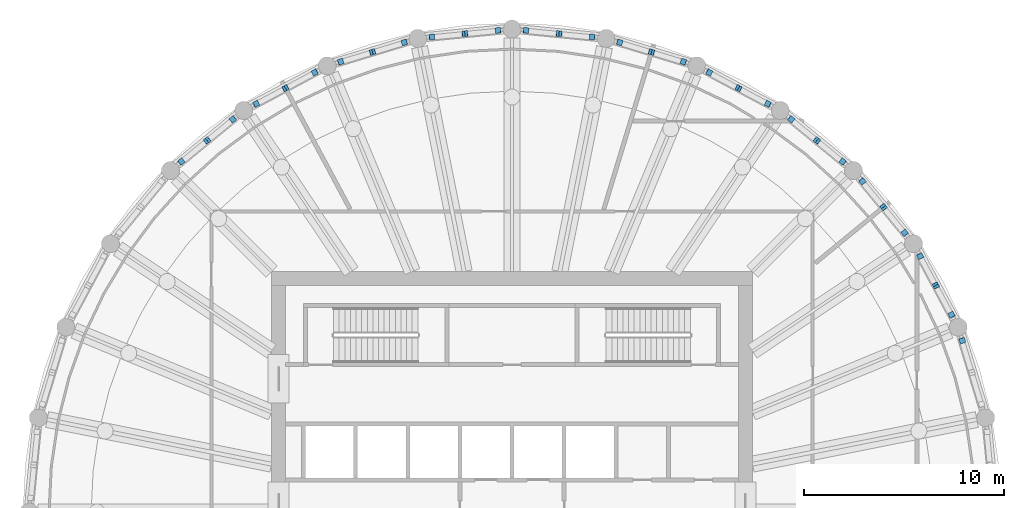
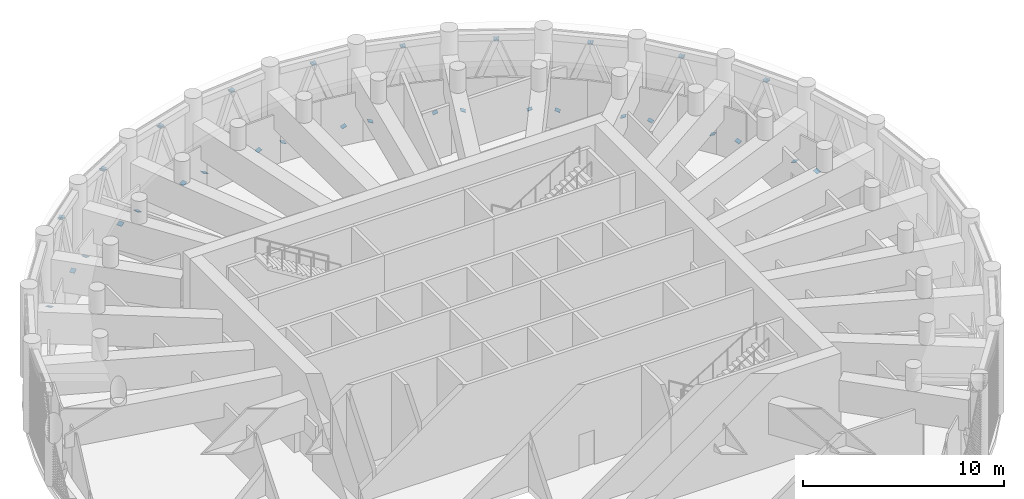
# One storey, part 11 of 19: 41 discrete accessories.
"""IFC4 building model written with IfcOpenShell, lengths in metres."""

import ifcopenshell
import ifcopenshell.guid

model = None  # the IFC model being written
_history = None  # IfcOwnerHistory: only IFC2X3 demands one
_inside = {}  # id of a spatial element -> (the spatial element, [elements in it])
_under = {}  # id of a project, library or spatial element -> (it, [spatial elements below it])
_declared = {}  # id of a project -> (the project, [libraries it declares])
_typed = {}  # id of a type object -> (the type object, [elements of that type])
_made_of = {}  # id of a material, layer set ... -> (it, [elements and type objects made of it])


def new_model(schema):
    """Start an empty IFC model of exactly this schema.

    Asked for "IFC4X3", IfcOpenShell would pick the latest addendum, in which some entities
    have other attributes; the version numbers below select the first issue.
    IFC2X3 requires an IfcOwnerHistory on every rooted entity: one is made here for all.
    """
    global model, _history
    if schema == "IFC4X3":
        model = ifcopenshell.file(schema_version=(4, 3, 0, 0))
    else:
        model = ifcopenshell.file(schema=schema)
    _inside.clear()
    _under.clear()
    _declared.clear()
    _typed.clear()
    _made_of.clear()
    _history = None
    if model.schema == "IFC2X3":
        org = make("IfcOrganization", Name="unknown")
        user = make(
            "IfcPersonAndOrganization",
            ThePerson=make("IfcPerson", FamilyName="unknown"),
            TheOrganization=org,
        )
        app = make(
            "IfcApplication",
            ApplicationDeveloper=org,
            Version="unknown",
            ApplicationFullName="unknown",
            ApplicationIdentifier="unknown",
        )
        _history = make(
            "IfcOwnerHistory",
            OwningUser=user,
            OwningApplication=app,
            ChangeAction="ADDED",
            CreationDate=0,
        )
    return model


def make(cls, **values):
    """One entity of the class cls with the attributes given. An attribute that is None is left unset."""
    return model.create_entity(
        cls, **{name: value for name, value in values.items() if value is not None}
    )


def rooted(cls, **values):
    """An entity with a GlobalId (a new one), such as an element, a storey or a relation."""
    return make(cls, GlobalId=ifcopenshell.guid.new(), OwnerHistory=_history, **values)


def si_unit(unit_type, name, prefix=None):
    """IfcSIUnit, for example si_unit("LENGTHUNIT", "METRE", prefix="MILLI")."""
    return make("IfcSIUnit", UnitType=unit_type, Prefix=prefix, Name=name)


def assignment(units):
    """IfcUnitAssignment: the units of a project."""
    return None if units is None else make("IfcUnitAssignment", Units=units)


def point(xyz):
    """IfcCartesianPoint."""
    return None if xyz is None else make("IfcCartesianPoint", Coordinates=xyz)


def direction(xyz):
    """IfcDirection."""
    return None if xyz is None else make("IfcDirection", DirectionRatios=xyz)


def frame(location, z_axis=None, x_axis=None):
    """IfcAxis2Placement3D, a coordinate frame: its origin and axes. An axis left out is left unset."""
    return make(
        "IfcAxis2Placement3D",
        Location=point(location),
        Axis=direction(z_axis),
        RefDirection=direction(x_axis),
    )


def frame_2d(location, x_axis=None):
    """IfcAxis2Placement2D, a coordinate frame in the plane: its origin and x axis."""
    return make(
        "IfcAxis2Placement2D", Location=point(location), RefDirection=direction(x_axis)
    )


def origin():
    """The frame at (0, 0, 0) with its axes left unset."""
    return frame((0.0, 0.0, 0.0))


def origin_2d():
    """The frame at (0, 0) in the plane with its x axis left unset."""
    return frame_2d((0.0, 0.0))


def place(relative_to, where):
    """IfcLocalPlacement: puts the frame where relative to a parent placement (None: the world)."""
    return make(
        "IfcLocalPlacement", PlacementRelTo=relative_to, RelativePlacement=where
    )


def context(
    kind, dimensions, precision=None, world=None, true_north=None, identifier=None
):
    """IfcGeometricRepresentationContext, for example the 3D "Model" context."""
    return make(
        "IfcGeometricRepresentationContext",
        ContextIdentifier=identifier,
        ContextType=kind,
        CoordinateSpaceDimension=dimensions,
        Precision=precision,
        WorldCoordinateSystem=world,
        TrueNorth=true_north,
    )


def subcontext(parent, identifier, kind, view, scale=None):
    """IfcGeometricRepresentationSubContext, for example "Body" below "Model"."""
    return make(
        "IfcGeometricRepresentationSubContext",
        ContextIdentifier=identifier,
        ContextType=kind,
        ParentContext=parent,
        TargetScale=scale,
        TargetView=view,
    )


def project(units=None, contexts=None):
    """IfcProject with its units and contexts."""
    return rooted(
        "IfcProject",
        Name="project",
        RepresentationContexts=contexts,
        UnitsInContext=assignment(units),
    )


def spatial(cls, under=None, at=None, **own):
    """A site, building, storey or space (cls), placed at a placement, below another one or the project."""
    s = rooted(cls, ObjectPlacement=at, **own)
    if under is not None:
        _under.setdefault(under.id(), (under, []))[1].append(s)
    return s


def profile(cls, at=None, kind="AREA", **sizes):
    """A parametric profile (cls). Its sizes go by their IFC names, for example OverallWidth=200.0."""
    return make(cls, ProfileType=kind, Position=at, **sizes)


def rectangle(**sizes):
    """IfcRectangleProfileDef."""
    return profile("IfcRectangleProfileDef", **sizes)


def extrude(swept, where, along, depth):
    """IfcExtrudedAreaSolid: the profile swept, set in the frame where, extruded along a direction by depth."""
    return make(
        "IfcExtrudedAreaSolid",
        SweptArea=swept,
        Position=where,
        ExtrudedDirection=direction(along),
        Depth=depth,
    )


def shape(context_of_items, identifier, shape_type, items):
    """IfcShapeRepresentation: the items that make up one representation, for example the "Body"."""
    return make(
        "IfcShapeRepresentation",
        ContextOfItems=context_of_items,
        RepresentationIdentifier=identifier,
        RepresentationType=shape_type,
        Items=items,
    )


def material(Name=None, Category=None):
    """IfcMaterial."""
    return make("IfcMaterial", Name=Name, Category=Category)


def material_profile(
    of_material, cross_section, Name=None, Category=None, Priority=None
):
    """IfcMaterialProfile: a cross section and its material."""
    return make(
        "IfcMaterialProfile",
        Name=Name,
        Material=of_material,
        Profile=cross_section,
        Priority=Priority,
        Category=Category,
    )


def profile_set(profiles, Name=None, composite=None):
    """IfcMaterialProfileSet."""
    return make(
        "IfcMaterialProfileSet",
        Name=Name,
        MaterialProfiles=profiles,
        CompositeProfile=composite,
    )


def made_of(thing, what):
    """Note that an element or type object is made of a material, layer set ...; save() writes the relation."""
    if what is not None:
        _made_of.setdefault(what.id(), (what, []))[1].append(thing)
    return thing


def type_object(cls, material=None, **own):
    """A type object (cls), such as IfcWallType, which elements share."""
    return made_of(rooted(cls, **own), material)


def element(
    cls,
    number,
    at=None,
    inside=None,
    cuts=None,
    type_object=None,
    material=None,
    context=None,
    identifier="Body",
    shape_type=None,
    held_by="IfcProductDefinitionShape",
    body=None,
    shapes=None,
    **own,
):
    """One element of the class cls, such as IfcWall. Its Tag is "e" and its number.

    at: its placement. inside: the storey or other place that contains it. cuts: it is an
    opening in that element (IfcRelVoidsElement). A single representation is given by context,
    identifier, shape_type and body (its items); several are given by shapes. held_by: the class
    of the entity that holds the representations. save() writes the other relations.
    """
    e = rooted(cls, Tag="e%d" % number, ObjectPlacement=at, **own)
    if body is not None:
        shapes = [shape(context, identifier, shape_type, body)]
    if shapes is not None:
        e.Representation = make(held_by, Representations=shapes)
    if inside is not None:
        _inside.setdefault(inside.id(), (inside, []))[1].append(e)
    if cuts is not None:
        rooted(
            "IfcRelVoidsElement", RelatingBuildingElement=cuts, RelatedOpeningElement=e
        )
    if type_object is not None:
        _typed.setdefault(type_object.id(), (type_object, []))[1].append(e)
    return made_of(e, material)


def aggregate(whole, parts):
    """IfcRelAggregates: a whole, such as a stair, and the parts it consists of."""
    return rooted("IfcRelAggregates", RelatingObject=whole, RelatedObjects=parts)


def save(model, path):
    """Write the relations noted so far, then the file.

    IfcRelAggregates (storeys below a building ...), IfcRelContainedInSpatialStructure (elements
    in a storey), IfcRelDefinesByType, IfcRelAssociatesMaterial and IfcRelDeclares: one each for
    every whole, place, type object, material and project.
    """
    for whole, parts in _under.values():
        aggregate(whole, parts)
    for where, things in _inside.values():
        rooted(
            "IfcRelContainedInSpatialStructure",
            RelatedElements=things,
            RelatingStructure=where,
        )
    for kind, things in _typed.values():
        rooted("IfcRelDefinesByType", RelatedObjects=things, RelatingType=kind)
    for what, things in _made_of.values():
        rooted("IfcRelAssociatesMaterial", RelatedObjects=things, RelatingMaterial=what)
    for by, libraries in _declared.values():
        rooted("IfcRelDeclares", RelatingContext=by, RelatedDefinitions=libraries)
    model.write(path)


model = new_model("IFC4")

# Units and contexts
model_context = context("Model", 3, precision=1e-05, world=origin(), true_north=direction((0.0, 1.0)))
body_context = subcontext(model_context, "Body", "Model", "MODEL_VIEW")
ifc_project = project(units=[si_unit("LENGTHUNIT", "METRE"), si_unit("AREAUNIT", "SQUARE_METRE"), si_unit("VOLUMEUNIT", "CUBIC_METRE"), si_unit("PLANEANGLEUNIT", "RADIAN"), si_unit("MASSUNIT", "GRAM", prefix="KILO")], contexts=[model_context])

# Site, building, storey
site_placement = place(None, origin())
site = spatial("IfcSite", under=ifc_project, at=site_placement, CompositionType="ELEMENT")
building_placement = place(site_placement, origin())
building = spatial("IfcBuilding", under=site, at=building_placement, Name="Corvane Civic Tower", CompositionType="ELEMENT")
storey_placement = place(building_placement, frame((0.0, 0.0, 319.0)))
storey = spatial("IfcBuildingStorey", under=building, at=storey_placement, Name="L76", CompositionType="ELEMENT", Elevation=319.0)

# Discrete accessories
ifc_material = material(Name="Steel ASTM A572 Gr 50", Category="steel")
ifc_material_profile = material_profile(ifc_material, rectangle(XDim=0.2802734375, YDim=0.2802734375, at=origin_2d()), Name="GUSSET PLATE 25 IN HSS12X12X1/2")
ifc_profile_set = profile_set([ifc_material_profile], Name="Steel ASTM A572 Gr 50")
discrete_accessory_type = type_object("IfcDiscreteAccessoryType", Name="GUSSET PLATE 25 IN HSS12X12X1/2", PredefinedType="BRACKET", material=ifc_profile_set)
discrete_accessory_1_placement = place(storey_placement, frame((0.696533203125, 24.031494140625, 0.406494140625), z_axis=(0.36264054548, -0.039204383295, 0.931104103258), x_axis=(0.10748184298, 0.994207047566, 0.0)))
element("IfcDiscreteAccessory", 1, at=discrete_accessory_1_placement, inside=storey, type_object=discrete_accessory_type, Name="Gusset plate BD1 end A", PredefinedType="BRACKET", context=body_context, shape_type="SweptSolid", body=[
    extrude(rectangle(XDim=0.2802734375, YDim=0.2802734375, at=origin_2d()), origin(), (0.0, 0.0, 1.0), 0.02490234375),
])
discrete_accessory_2_placement = place(storey_placement, frame((2.350830078125, 23.868408203125, 4.74365234375), z_axis=(-0.350856529013, 0.038984058779, -0.935617410703), x_axis=(-0.110431526075, -0.993883734674, 0.0)))
element("IfcDiscreteAccessory", 2, at=discrete_accessory_2_placement, inside=storey, type_object=discrete_accessory_type, Name="Gusset plate BD1 end B", PredefinedType="BRACKET", context=body_context, shape_type="SweptSolid", body=[
    extrude(rectangle(XDim=0.2802734375, YDim=0.2802734375, at=origin_2d()), origin(), (0.0, 0.0, 1.0), 0.025146484375),
])
discrete_accessory_3_placement = place(storey_placement, frame((4.005126953125, 23.70556640625, 0.406494140625), z_axis=(-0.36264054548, 0.039204383295, 0.931104103258), x_axis=(-0.10748184298, -0.994207047566, 0.0)))
element("IfcDiscreteAccessory", 3, at=discrete_accessory_3_placement, inside=storey, type_object=discrete_accessory_type, Name="Gusset plate BD1 end A", PredefinedType="BRACKET", context=body_context, shape_type="SweptSolid", body=[
    extrude(rectangle(XDim=0.2802734375, YDim=0.2802734375, at=origin_2d()), origin(), (0.0, 0.0, 1.0), 0.02490234375),
])
discrete_accessory_4_placement = place(storey_placement, frame((2.350830078125, 23.868408203125, 4.74365234375), z_axis=(0.350973228344, -0.029247769029, -0.935928608919), x_axis=(0.083045479854, 0.996545758245, 0.0)))
element("IfcDiscreteAccessory", 4, at=discrete_accessory_4_placement, inside=storey, type_object=discrete_accessory_type, Name="Gusset plate BD1 end B", PredefinedType="BRACKET", context=body_context, shape_type="SweptSolid", body=[
    extrude(rectangle(XDim=0.2802734375, YDim=0.2802734375, at=origin_2d()), origin(), (0.0, 0.0, 1.0), 0.025146484375),
])
discrete_accessory_5_placement = place(storey_placement, frame((5.37158203125, 23.433837890625, 0.406494140625), z_axis=(0.343682744054, -0.108014576703, 0.932853162432), x_axis=(0.29982659674, 0.953993716901, 0.0)))
element("IfcDiscreteAccessory", 5, at=discrete_accessory_5_placement, inside=storey, type_object=discrete_accessory_type, Name="Gusset plate BD1 end A", PredefinedType="BRACKET", context=body_context, shape_type="SweptSolid", body=[
    extrude(rectangle(XDim=0.2802734375, YDim=0.2802734375, at=origin_2d()), origin(), (0.0, 0.0, 1.0), 0.02490234375),
])
discrete_accessory_6_placement = place(storey_placement, frame((6.962158203125, 22.951171875, 4.74365234375), z_axis=(-0.340561039499, 0.107033469557, -0.934110279769), x_axis=(-0.29982659674, -0.953993716901, 0.0)))
element("IfcDiscreteAccessory", 6, at=discrete_accessory_6_placement, inside=storey, type_object=discrete_accessory_type, Name="Gusset plate BD1 end B", PredefinedType="BRACKET", context=body_context, shape_type="SweptSolid", body=[
    extrude(rectangle(XDim=0.2802734375, YDim=0.2802734375, at=origin_2d()), origin(), (0.0, 0.0, 1.0), 0.025146484375),
])
discrete_accessory_7_placement = place(storey_placement, frame((8.552734375, 22.468505859375, 0.406494140625), z_axis=(-0.343682744054, 0.108014576703, 0.932853162432), x_axis=(-0.29982659674, -0.953993716901, 0.0)))
element("IfcDiscreteAccessory", 7, at=discrete_accessory_7_placement, inside=storey, type_object=discrete_accessory_type, Name="Gusset plate BD1 end A", PredefinedType="BRACKET", context=body_context, shape_type="SweptSolid", body=[
    extrude(rectangle(XDim=0.2802734375, YDim=0.2802734375, at=origin_2d()), origin(), (0.0, 0.0, 1.0), 0.02490234375),
])
discrete_accessory_8_placement = place(storey_placement, frame((6.962158203125, 22.951171875, 4.74365234375), z_axis=(0.340561039499, -0.107033469557, -0.934110279769), x_axis=(0.29982659674, 0.953993716901, 0.0)))
element("IfcDiscreteAccessory", 8, at=discrete_accessory_8_placement, inside=storey, type_object=discrete_accessory_type, Name="Gusset plate BD1 end B", PredefinedType="BRACKET", context=body_context, shape_type="SweptSolid", body=[
    extrude(rectangle(XDim=0.2802734375, YDim=0.2802734375, at=origin_2d()), origin(), (0.0, 0.0, 1.0), 0.025146484375),
])
discrete_accessory_9_placement = place(storey_placement, frame((9.840087890625, 21.935302734375, 0.406494140625), z_axis=(0.314725342185, -0.167197838036, 0.934340859613), x_axis=(0.469155225962, 0.883115719457, 0.0)))
element("IfcDiscreteAccessory", 9, at=discrete_accessory_9_placement, inside=storey, type_object=discrete_accessory_type, Name="Gusset plate BD1 end A", PredefinedType="BRACKET", context=body_context, shape_type="SweptSolid", body=[
    extrude(rectangle(XDim=0.2802734375, YDim=0.2802734375, at=origin_2d()), origin(), (0.0, 0.0, 1.0), 0.02490234375),
])
discrete_accessory_10_placement = place(storey_placement, frame((11.305908203125, 21.15185546875, 4.74365234375), z_axis=(-0.311857659717, 0.165674381725, -0.93557297915), x_axis=(-0.469155225962, -0.883115719457, 0.0)))
element("IfcDiscreteAccessory", 10, at=discrete_accessory_10_placement, inside=storey, type_object=discrete_accessory_type, Name="Gusset plate BD1 end B", PredefinedType="BRACKET", context=body_context, shape_type="SweptSolid", body=[
    extrude(rectangle(XDim=0.2802734375, YDim=0.2802734375, at=origin_2d()), origin(), (0.0, 0.0, 1.0), 0.025146484375),
])
discrete_accessory_11_placement = place(storey_placement, frame((12.771728515625, 20.368408203125, 0.406494140625), z_axis=(-0.314725342185, 0.167197838036, 0.934340859613), x_axis=(-0.469155225962, -0.883115719457, 0.0)))
element("IfcDiscreteAccessory", 11, at=discrete_accessory_11_placement, inside=storey, type_object=discrete_accessory_type, Name="Gusset plate BD1 end A", PredefinedType="BRACKET", context=body_context, shape_type="SweptSolid", body=[
    extrude(rectangle(XDim=0.2802734375, YDim=0.2802734375, at=origin_2d()), origin(), (0.0, 0.0, 1.0), 0.02490234375),
])
discrete_accessory_12_placement = place(storey_placement, frame((11.305908203125, 21.15185546875, 4.74365234375), z_axis=(0.311857659717, -0.165674381725, -0.93557297915), x_axis=(0.469155225962, 0.883115719457, 0.0)))
element("IfcDiscreteAccessory", 12, at=discrete_accessory_12_placement, inside=storey, type_object=discrete_accessory_type, Name="Gusset plate BD1 end B", PredefinedType="BRACKET", context=body_context, shape_type="SweptSolid", body=[
    extrude(rectangle(XDim=0.2802734375, YDim=0.2802734375, at=origin_2d()), origin(), (0.0, 0.0, 1.0), 0.025146484375),
])
discrete_accessory_13_placement = place(storey_placement, frame((13.93017578125, 19.59423828125, 0.406494140625), z_axis=(0.284436778396, -0.225587789762, 0.931775653366), x_axis=(0.621394711002, 0.78349767909, 0.0)))
element("IfcDiscreteAccessory", 13, at=discrete_accessory_13_placement, inside=storey, type_object=discrete_accessory_type, Name="Gusset plate BD1 end A", PredefinedType="BRACKET", context=body_context, shape_type="SweptSolid", body=[
    extrude(rectangle(XDim=0.2802734375, YDim=0.2802734375, at=origin_2d()), origin(), (0.0, 0.0, 1.0), 0.02490234375),
])
discrete_accessory_14_placement = place(storey_placement, frame((15.21533203125, 18.539794921875, 4.74365234375), z_axis=(-0.281859094948, 0.223543420131, -0.933050797069), x_axis=(-0.621394711002, -0.78349767909, 0.0)))
element("IfcDiscreteAccessory", 14, at=discrete_accessory_14_placement, inside=storey, type_object=discrete_accessory_type, Name="Gusset plate BD1 end B", PredefinedType="BRACKET", context=body_context, shape_type="SweptSolid", body=[
    extrude(rectangle(XDim=0.2802734375, YDim=0.2802734375, at=origin_2d()), origin(), (0.0, 0.0, 1.0), 0.025146484375),
])
discrete_accessory_15_placement = place(storey_placement, frame((16.500244140625, 17.4853515625, 0.406494140625), z_axis=(-0.284436778396, 0.225587789762, 0.931775653366), x_axis=(-0.621394711002, -0.78349767909, 0.0)))
element("IfcDiscreteAccessory", 15, at=discrete_accessory_15_placement, inside=storey, type_object=discrete_accessory_type, Name="Gusset plate BD1 end A", PredefinedType="BRACKET", context=body_context, shape_type="SweptSolid", body=[
    extrude(rectangle(XDim=0.2802734375, YDim=0.2802734375, at=origin_2d()), origin(), (0.0, 0.0, 1.0), 0.02490234375),
])
discrete_accessory_16_placement = place(storey_placement, frame((15.21533203125, 18.539794921875, 4.74365234375), z_axis=(0.272875452252, -0.224147692921, -0.93557297915), x_axis=(0.63473942336, 0.772726254525, 0.0)))
element("IfcDiscreteAccessory", 16, at=discrete_accessory_16_placement, inside=storey, type_object=discrete_accessory_type, Name="Gusset plate BD1 end B", PredefinedType="BRACKET", context=body_context, shape_type="SweptSolid", body=[
    extrude(rectangle(XDim=0.2802734375, YDim=0.2802734375, at=origin_2d()), origin(), (0.0, 0.0, 1.0), 0.025146484375),
])
discrete_accessory_17_placement = place(storey_placement, frame((17.4853515625, 16.500244140625, 0.406494140625), z_axis=(0.225587789762, -0.284436778396, 0.931775653366), x_axis=(0.78349767909, 0.621394711002, 0.0)))
element("IfcDiscreteAccessory", 17, at=discrete_accessory_17_placement, inside=storey, type_object=discrete_accessory_type, Name="Gusset plate BD1 end A", PredefinedType="BRACKET", context=body_context, shape_type="SweptSolid", body=[
    extrude(rectangle(XDim=0.2802734375, YDim=0.2802734375, at=origin_2d()), origin(), (0.0, 0.0, 1.0), 0.02490234375),
])
discrete_accessory_18_placement = place(storey_placement, frame((18.539794921875, 15.21533203125, 4.74365234375), z_axis=(-0.224147692921, 0.272875452252, -0.93557297915), x_axis=(-0.772726254525, -0.63473942336, 0.0)))
element("IfcDiscreteAccessory", 18, at=discrete_accessory_18_placement, inside=storey, type_object=discrete_accessory_type, Name="Gusset plate BD1 end B", PredefinedType="BRACKET", context=body_context, shape_type="SweptSolid", body=[
    extrude(rectangle(XDim=0.2802734375, YDim=0.2802734375, at=origin_2d()), origin(), (0.0, 0.0, 1.0), 0.025146484375),
])
discrete_accessory_19_placement = place(storey_placement, frame((19.59423828125, 13.93017578125, 0.406494140625), z_axis=(-0.225587789762, 0.284436778396, 0.931775653366), x_axis=(-0.78349767909, -0.621394711002, 0.0)))
element("IfcDiscreteAccessory", 19, at=discrete_accessory_19_placement, inside=storey, type_object=discrete_accessory_type, Name="Gusset plate BD1 end A", PredefinedType="BRACKET", context=body_context, shape_type="SweptSolid", body=[
    extrude(rectangle(XDim=0.2802734375, YDim=0.2802734375, at=origin_2d()), origin(), (0.0, 0.0, 1.0), 0.02490234375),
])
discrete_accessory_20_placement = place(storey_placement, frame((18.539794921875, 15.21533203125, 4.74365234375), z_axis=(0.223543420131, -0.281859094948, -0.933050797069), x_axis=(0.78349767909, 0.621394711002, 0.0)))
element("IfcDiscreteAccessory", 20, at=discrete_accessory_20_placement, inside=storey, type_object=discrete_accessory_type, Name="Gusset plate BD1 end B", PredefinedType="BRACKET", context=body_context, shape_type="SweptSolid", body=[
    extrude(rectangle(XDim=0.2802734375, YDim=0.2802734375, at=origin_2d()), origin(), (0.0, 0.0, 1.0), 0.025146484375),
])
discrete_accessory_21_placement = place(storey_placement, frame((20.368408203125, 12.771728515625, 0.406494140625), z_axis=(0.167197838036, -0.314725342185, 0.934340859613), x_axis=(0.883115719457, 0.469155225962, 0.0)))
element("IfcDiscreteAccessory", 21, at=discrete_accessory_21_placement, inside=storey, type_object=discrete_accessory_type, Name="Gusset plate BD1 end A", PredefinedType="BRACKET", context=body_context, shape_type="SweptSolid", body=[
    extrude(rectangle(XDim=0.2802734375, YDim=0.2802734375, at=origin_2d()), origin(), (0.0, 0.0, 1.0), 0.02490234375),
])
discrete_accessory_22_placement = place(storey_placement, frame((21.15185546875, 11.305908203125, 4.74365234375), z_axis=(-0.165674381725, 0.311857659717, -0.93557297915), x_axis=(-0.883115719457, -0.469155225962, 0.0)))
element("IfcDiscreteAccessory", 22, at=discrete_accessory_22_placement, inside=storey, type_object=discrete_accessory_type, Name="Gusset plate BD1 end B", PredefinedType="BRACKET", context=body_context, shape_type="SweptSolid", body=[
    extrude(rectangle(XDim=0.2802734375, YDim=0.2802734375, at=origin_2d()), origin(), (0.0, 0.0, 1.0), 0.025146484375),
])
discrete_accessory_23_placement = place(storey_placement, frame((21.935302734375, 9.840087890625, 0.406494140625), z_axis=(-0.167197838036, 0.314725342185, 0.934340859613), x_axis=(-0.883115719457, -0.469155225962, 0.0)))
element("IfcDiscreteAccessory", 23, at=discrete_accessory_23_placement, inside=storey, type_object=discrete_accessory_type, Name="Gusset plate BD1 end A", PredefinedType="BRACKET", context=body_context, shape_type="SweptSolid", body=[
    extrude(rectangle(XDim=0.2802734375, YDim=0.2802734375, at=origin_2d()), origin(), (0.0, 0.0, 1.0), 0.02490234375),
])
discrete_accessory_24_placement = place(storey_placement, frame((21.15185546875, 11.305908203125, 4.74365234375), z_axis=(0.165674381725, -0.311857659717, -0.93557297915), x_axis=(0.883115719457, 0.469155225962, 0.0)))
element("IfcDiscreteAccessory", 24, at=discrete_accessory_24_placement, inside=storey, type_object=discrete_accessory_type, Name="Gusset plate BD1 end B", PredefinedType="BRACKET", context=body_context, shape_type="SweptSolid", body=[
    extrude(rectangle(XDim=0.2802734375, YDim=0.2802734375, at=origin_2d()), origin(), (0.0, 0.0, 1.0), 0.025146484375),
])
for number, where, z_axis, x_axis, name in (
    (25, (22.468505859375, 8.552734375, 0.406494140625), (0.108014576703, -0.343682744054, 0.932853162432), (0.953993716901, 0.29982659674, 0.0), "Gusset plate BD1 end A"),
    (26, (-16.500244140625, 17.4853515625, 0.406494140625), (0.284436778396, 0.225587789762, 0.931775653366), (-0.621394711002, 0.78349767909, 0.0), "Gusset plate BD1 end A"),
):
    element("IfcDiscreteAccessory", number, at=place(storey_placement, frame(where, z_axis=z_axis, x_axis=x_axis)), inside=storey, type_object=discrete_accessory_type, Name=name, PredefinedType="BRACKET", context=body_context, shape_type="SweptSolid", body=[
        extrude(rectangle(XDim=0.2802734375, YDim=0.2802734375, at=origin_2d()), origin(), (0.0, 0.0, 1.0), 0.02490234375),
    ])
discrete_accessory_25_placement = place(storey_placement, frame((-15.21533203125, 18.539794921875, 4.74365234375), z_axis=(-0.272875452252, -0.224147692921, -0.93557297915), x_axis=(0.63473942336, -0.772726254525, 0.0)))
element("IfcDiscreteAccessory", 27, at=discrete_accessory_25_placement, inside=storey, type_object=discrete_accessory_type, Name="Gusset plate BD1 end B", PredefinedType="BRACKET", context=body_context, shape_type="SweptSolid", body=[
    extrude(rectangle(XDim=0.2802734375, YDim=0.2802734375, at=origin_2d()), origin(), (0.0, 0.0, 1.0), 0.025146484375),
])
discrete_accessory_26_placement = place(storey_placement, frame((-13.93017578125, 19.59423828125, 0.406494140625), z_axis=(-0.284436778396, -0.225587789762, 0.931775653366), x_axis=(0.621394711002, -0.78349767909, 0.0)))
element("IfcDiscreteAccessory", 28, at=discrete_accessory_26_placement, inside=storey, type_object=discrete_accessory_type, Name="Gusset plate BD1 end A", PredefinedType="BRACKET", context=body_context, shape_type="SweptSolid", body=[
    extrude(rectangle(XDim=0.2802734375, YDim=0.2802734375, at=origin_2d()), origin(), (0.0, 0.0, 1.0), 0.02490234375),
])
discrete_accessory_27_placement = place(storey_placement, frame((-15.21533203125, 18.539794921875, 4.74365234375), z_axis=(0.281859094948, 0.223543420131, -0.933050797069), x_axis=(-0.621394711002, 0.78349767909, 0.0)))
element("IfcDiscreteAccessory", 29, at=discrete_accessory_27_placement, inside=storey, type_object=discrete_accessory_type, Name="Gusset plate BD1 end B", PredefinedType="BRACKET", context=body_context, shape_type="SweptSolid", body=[
    extrude(rectangle(XDim=0.2802734375, YDim=0.2802734375, at=origin_2d()), origin(), (0.0, 0.0, 1.0), 0.025146484375),
])
discrete_accessory_28_placement = place(storey_placement, frame((-12.771728515625, 20.368408203125, 0.406494140625), z_axis=(0.314725342185, 0.167197838036, 0.934340859613), x_axis=(-0.469155225962, 0.883115719457, 0.0)))
element("IfcDiscreteAccessory", 30, at=discrete_accessory_28_placement, inside=storey, type_object=discrete_accessory_type, Name="Gusset plate BD1 end A", PredefinedType="BRACKET", context=body_context, shape_type="SweptSolid", body=[
    extrude(rectangle(XDim=0.2802734375, YDim=0.2802734375, at=origin_2d()), origin(), (0.0, 0.0, 1.0), 0.02490234375),
])
discrete_accessory_29_placement = place(storey_placement, frame((-11.305908203125, 21.15185546875, 4.74365234375), z_axis=(-0.311857659717, -0.165674381725, -0.93557297915), x_axis=(0.469155225962, -0.883115719457, 0.0)))
element("IfcDiscreteAccessory", 31, at=discrete_accessory_29_placement, inside=storey, type_object=discrete_accessory_type, Name="Gusset plate BD1 end B", PredefinedType="BRACKET", context=body_context, shape_type="SweptSolid", body=[
    extrude(rectangle(XDim=0.2802734375, YDim=0.2802734375, at=origin_2d()), origin(), (0.0, 0.0, 1.0), 0.025146484375),
])
discrete_accessory_30_placement = place(storey_placement, frame((-9.840087890625, 21.935302734375, 0.406494140625), z_axis=(-0.314725342185, -0.167197838036, 0.934340859613), x_axis=(0.469155225962, -0.883115719457, 0.0)))
element("IfcDiscreteAccessory", 32, at=discrete_accessory_30_placement, inside=storey, type_object=discrete_accessory_type, Name="Gusset plate BD1 end A", PredefinedType="BRACKET", context=body_context, shape_type="SweptSolid", body=[
    extrude(rectangle(XDim=0.2802734375, YDim=0.2802734375, at=origin_2d()), origin(), (0.0, 0.0, 1.0), 0.02490234375),
])
discrete_accessory_31_placement = place(storey_placement, frame((-11.305908203125, 21.15185546875, 4.74365234375), z_axis=(0.311857659717, 0.165674381725, -0.93557297915), x_axis=(-0.469155225962, 0.883115719457, 0.0)))
element("IfcDiscreteAccessory", 33, at=discrete_accessory_31_placement, inside=storey, type_object=discrete_accessory_type, Name="Gusset plate BD1 end B", PredefinedType="BRACKET", context=body_context, shape_type="SweptSolid", body=[
    extrude(rectangle(XDim=0.2802734375, YDim=0.2802734375, at=origin_2d()), origin(), (0.0, 0.0, 1.0), 0.025146484375),
])
discrete_accessory_32_placement = place(storey_placement, frame((-8.552734375, 22.468505859375, 0.406494140625), z_axis=(0.343682744054, 0.108014576703, 0.932853162432), x_axis=(-0.29982659674, 0.953993716901, 0.0)))
element("IfcDiscreteAccessory", 34, at=discrete_accessory_32_placement, inside=storey, type_object=discrete_accessory_type, Name="Gusset plate BD1 end A", PredefinedType="BRACKET", context=body_context, shape_type="SweptSolid", body=[
    extrude(rectangle(XDim=0.2802734375, YDim=0.2802734375, at=origin_2d()), origin(), (0.0, 0.0, 1.0), 0.02490234375),
])
discrete_accessory_33_placement = place(storey_placement, frame((-6.962158203125, 22.951171875, 4.74365234375), z_axis=(-0.340561039499, -0.107033469557, -0.934110279769), x_axis=(0.29982659674, -0.953993716901, 0.0)))
element("IfcDiscreteAccessory", 35, at=discrete_accessory_33_placement, inside=storey, type_object=discrete_accessory_type, Name="Gusset plate BD1 end B", PredefinedType="BRACKET", context=body_context, shape_type="SweptSolid", body=[
    extrude(rectangle(XDim=0.2802734375, YDim=0.2802734375, at=origin_2d()), origin(), (0.0, 0.0, 1.0), 0.025146484375),
])
discrete_accessory_34_placement = place(storey_placement, frame((-5.37158203125, 23.433837890625, 0.406494140625), z_axis=(-0.343682744054, -0.108014576703, 0.932853162432), x_axis=(0.29982659674, -0.953993716901, 0.0)))
element("IfcDiscreteAccessory", 36, at=discrete_accessory_34_placement, inside=storey, type_object=discrete_accessory_type, Name="Gusset plate BD1 end A", PredefinedType="BRACKET", context=body_context, shape_type="SweptSolid", body=[
    extrude(rectangle(XDim=0.2802734375, YDim=0.2802734375, at=origin_2d()), origin(), (0.0, 0.0, 1.0), 0.02490234375),
])
discrete_accessory_35_placement = place(storey_placement, frame((-6.962158203125, 22.951171875, 4.74365234375), z_axis=(0.340561039499, 0.107033469557, -0.934110279769), x_axis=(-0.29982659674, 0.953993716901, 0.0)))
element("IfcDiscreteAccessory", 37, at=discrete_accessory_35_placement, inside=storey, type_object=discrete_accessory_type, Name="Gusset plate BD1 end B", PredefinedType="BRACKET", context=body_context, shape_type="SweptSolid", body=[
    extrude(rectangle(XDim=0.2802734375, YDim=0.2802734375, at=origin_2d()), origin(), (0.0, 0.0, 1.0), 0.025146484375),
])
discrete_accessory_36_placement = place(storey_placement, frame((-4.005126953125, 23.70556640625, 0.406494140625), z_axis=(0.36264054548, 0.039204383295, 0.931104103258), x_axis=(-0.10748184298, 0.994207047566, 0.0)))
element("IfcDiscreteAccessory", 38, at=discrete_accessory_36_placement, inside=storey, type_object=discrete_accessory_type, Name="Gusset plate BD1 end A", PredefinedType="BRACKET", context=body_context, shape_type="SweptSolid", body=[
    extrude(rectangle(XDim=0.2802734375, YDim=0.2802734375, at=origin_2d()), origin(), (0.0, 0.0, 1.0), 0.02490234375),
])
discrete_accessory_37_placement = place(storey_placement, frame((-2.350830078125, 23.868408203125, 4.74365234375), z_axis=(-0.350973228344, -0.029247769029, -0.935928608919), x_axis=(0.083045479854, -0.996545758245, 0.0)))
element("IfcDiscreteAccessory", 39, at=discrete_accessory_37_placement, inside=storey, type_object=discrete_accessory_type, Name="Gusset plate BD1 end B", PredefinedType="BRACKET", context=body_context, shape_type="SweptSolid", body=[
    extrude(rectangle(XDim=0.2802734375, YDim=0.2802734375, at=origin_2d()), origin(), (0.0, 0.0, 1.0), 0.025146484375),
])
discrete_accessory_38_placement = place(storey_placement, frame((-0.696533203125, 24.031494140625, 0.406494140625), z_axis=(-0.36264054548, -0.039204383295, 0.931104103258), x_axis=(0.10748184298, -0.994207047566, 0.0)))
element("IfcDiscreteAccessory", 40, at=discrete_accessory_38_placement, inside=storey, type_object=discrete_accessory_type, Name="Gusset plate BD1 end A", PredefinedType="BRACKET", context=body_context, shape_type="SweptSolid", body=[
    extrude(rectangle(XDim=0.2802734375, YDim=0.2802734375, at=origin_2d()), origin(), (0.0, 0.0, 1.0), 0.02490234375),
])
discrete_accessory_39_placement = place(storey_placement, frame((-2.350830078125, 23.868408203125, 4.74365234375), z_axis=(0.350856529013, 0.038984058779, -0.935617410703), x_axis=(-0.110431526075, 0.993883734674, 0.0)))
element("IfcDiscreteAccessory", 41, at=discrete_accessory_39_placement, inside=storey, type_object=discrete_accessory_type, Name="Gusset plate BD1 end B", PredefinedType="BRACKET", context=body_context, shape_type="SweptSolid", body=[
    extrude(rectangle(XDim=0.2802734375, YDim=0.2802734375, at=origin_2d()), origin(), (0.0, 0.0, 1.0), 0.025146484375),
])

save(model, "model.ifc")
